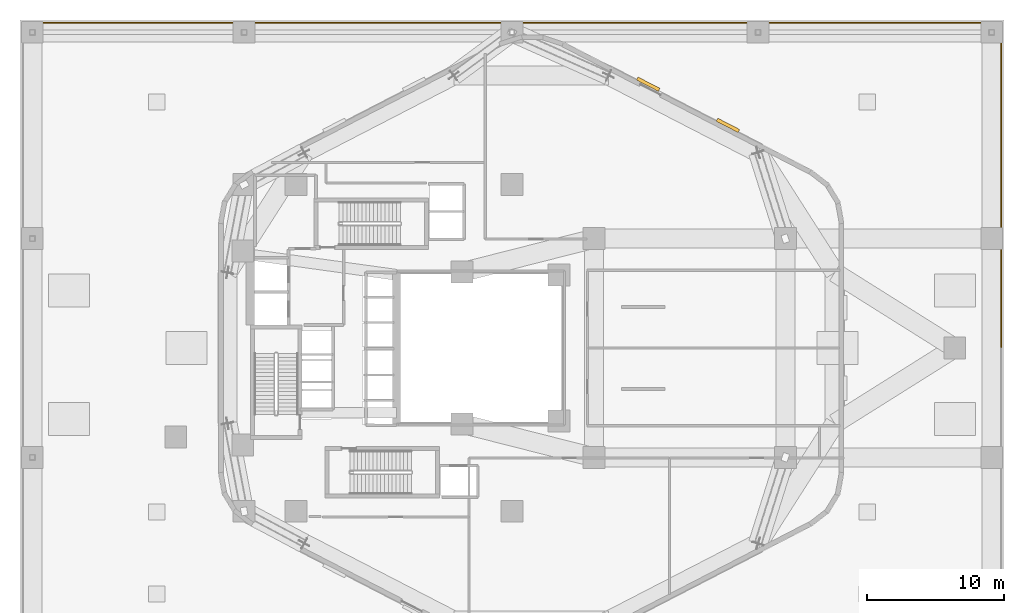
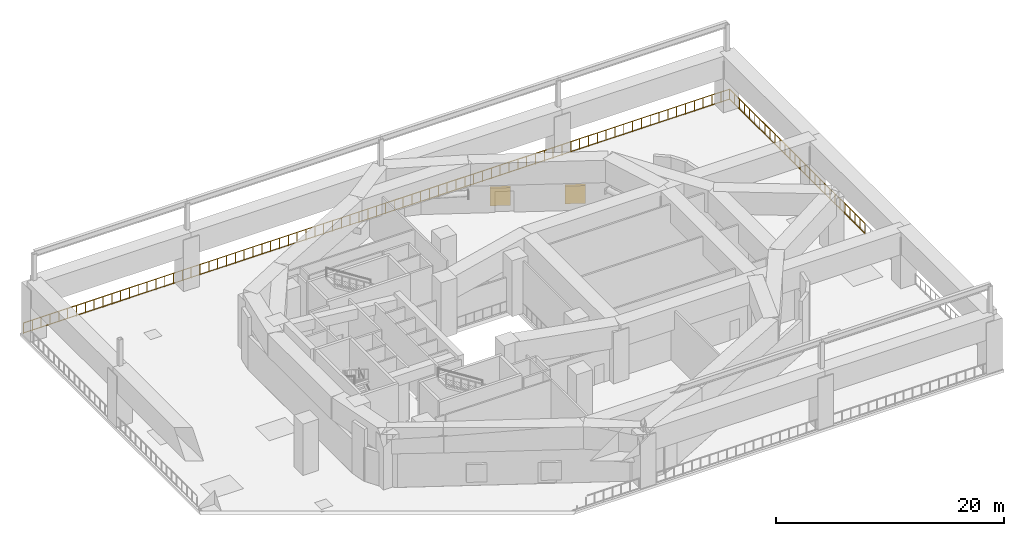
# One storey, part 15 of 15: 2 shading devices, 1 railing.
"""IFC4 building model written with IfcOpenShell, lengths in metres."""

from ifc_helpers import new_model, si_unit, direction, frame, origin, origin_2d, place, context, subcontext, project, spatial, rectangle, circle, extrude, material, type_object, element, save


model = new_model("IFC4")

# Units and contexts
model_context = context("Model", 3, precision=1e-05, world=origin(), true_north=direction((0.0, 1.0)))
body_context = subcontext(model_context, "Body", "Model", "MODEL_VIEW")
ifc_project = project(units=[si_unit("LENGTHUNIT", "METRE"), si_unit("AREAUNIT", "SQUARE_METRE"), si_unit("VOLUMEUNIT", "CUBIC_METRE"), si_unit("PLANEANGLEUNIT", "RADIAN"), si_unit("MASSUNIT", "GRAM", prefix="KILO"), si_unit("THERMODYNAMICTEMPERATUREUNIT", "KELVIN"), si_unit("POWERUNIT", "WATT")], contexts=[model_context])

# Site, building, storey
site_placement = place(None, origin())
site = spatial("IfcSite", under=ifc_project, at=site_placement, CompositionType="ELEMENT")
building_placement = place(site_placement, origin())
building = spatial("IfcBuilding", under=site, at=building_placement, Name="Skarre Station Tower", CompositionType="ELEMENT")
storey_placement = place(building_placement, frame((0.0, 0.0, 21.0)))
storey = spatial("IfcBuildingStorey", under=building, at=storey_placement, Name="L05", CompositionType="ELEMENT", Elevation=21.0)

# Railing
ifc_material_1 = material(Name="Stainless Steel Grade 316L & Laminated Safety Glass", Category="steel")
railing_type = type_object("IfcRailingType", Name="Laminated Glass & Stainless Terrace Guardrail 1150", PredefinedType="BALUSTRADE", material=ifc_material_1)
railing_placement = place(storey_placement, frame((71.800048828125, 24.050048828125, 0.0)))
element("IfcRailing", 1, at=railing_placement, inside=storey, type_object=railing_type, Name="L05 Podium Roof Garden North-East Guardrail", PredefinedType="BALUSTRADE", context=body_context, shape_type="SweptSolid", body=[
    extrude(circle(Radius=0.02392578125, at=origin_2d()), frame((0.0, 0.0, 1.1259765625), z_axis=(0.0, 1.0, 0.0), x_axis=(-1.0, 0.0, 0.0)), (0.0, 0.0, 1.0), 23.75),
    extrude(circle(Radius=0.02099609375, at=origin_2d()), frame((0.0, 0.0, 0.06005859375), z_axis=(0.0, 1.0, 0.0), x_axis=(-1.0, 0.0, 0.0)), (0.0, 0.0, 1.0), 23.75),
    extrude(circle(Radius=0.02392578125, at=origin_2d()), frame((0.0, 23.75, 1.1259765625), z_axis=(-1.0, 0.0, 0.0), x_axis=(0.0, -1.0, 0.0)), (0.0, 0.0, 1.0), 71.56005859375),
    extrude(circle(Radius=0.02099609375, at=origin_2d()), frame((0.0, 23.75, 0.06005859375), z_axis=(-1.0, 0.0, 0.0), x_axis=(0.0, -1.0, 0.0)), (0.0, 0.0, 1.0), 71.56005859375),
    extrude(circle(Radius=0.02099609375, at=origin_2d()), origin(), (0.0, 0.0, 1.0), 1.101806640625),
    extrude(circle(Radius=0.02099609375, at=origin_2d()), frame((0.0, 0.879638671875, 0.0)), (0.0, 0.0, 1.0), 1.101806640625),
    extrude(circle(Radius=0.02099609375, at=origin_2d()), frame((0.0, 1.75927734375, 0.0)), (0.0, 0.0, 1.0), 1.101806640625),
    extrude(circle(Radius=0.02099609375, at=origin_2d()), frame((0.0, 2.638916015625, 0.0)), (0.0, 0.0, 1.0), 1.101806640625),
    extrude(circle(Radius=0.02099609375, at=origin_2d()), frame((0.0, 3.5185546875, 0.0)), (0.0, 0.0, 1.0), 1.101806640625),
    extrude(circle(Radius=0.02099609375, at=origin_2d()), frame((0.0, 4.398193359375, 0.0)), (0.0, 0.0, 1.0), 1.101806640625),
    extrude(circle(Radius=0.02099609375, at=origin_2d()), frame((0.0, 5.27783203125, 0.0)), (0.0, 0.0, 1.0), 1.101806640625),
    extrude(circle(Radius=0.02099609375, at=origin_2d()), frame((0.0, 6.157470703125, 0.0)), (0.0, 0.0, 1.0), 1.101806640625),
    extrude(circle(Radius=0.02099609375, at=origin_2d()), frame((0.0, 7.037109375, 0.0)), (0.0, 0.0, 1.0), 1.101806640625),
    extrude(circle(Radius=0.02099609375, at=origin_2d()), frame((0.0, 7.916748046875, 0.0)), (0.0, 0.0, 1.0), 1.101806640625),
    extrude(circle(Radius=0.02099609375, at=origin_2d()), frame((0.0, 8.79638671875, 0.0)), (0.0, 0.0, 1.0), 1.101806640625),
    extrude(circle(Radius=0.02099609375, at=origin_2d()), frame((0.0, 9.676025390625, 0.0)), (0.0, 0.0, 1.0), 1.101806640625),
    extrude(circle(Radius=0.02099609375, at=origin_2d()), frame((0.0, 10.5556640625, 0.0)), (0.0, 0.0, 1.0), 1.101806640625),
    extrude(circle(Radius=0.02099609375, at=origin_2d()), frame((0.0, 11.435302734375, 0.0)), (0.0, 0.0, 1.0), 1.101806640625),
    extrude(circle(Radius=0.02099609375, at=origin_2d()), frame((0.0, 12.314697265625, 0.0)), (0.0, 0.0, 1.0), 1.101806640625),
    extrude(circle(Radius=0.02099609375, at=origin_2d()), frame((0.0, 13.1943359375, 0.0)), (0.0, 0.0, 1.0), 1.101806640625),
    extrude(circle(Radius=0.02099609375, at=origin_2d()), frame((0.0, 14.073974609375, 0.0)), (0.0, 0.0, 1.0), 1.101806640625),
    extrude(circle(Radius=0.02099609375, at=origin_2d()), frame((0.0, 14.95361328125, 0.0)), (0.0, 0.0, 1.0), 1.101806640625),
    extrude(circle(Radius=0.02099609375, at=origin_2d()), frame((0.0, 15.833251953125, 0.0)), (0.0, 0.0, 1.0), 1.101806640625),
    extrude(circle(Radius=0.02099609375, at=origin_2d()), frame((0.0, 16.712890625, 0.0)), (0.0, 0.0, 1.0), 1.101806640625),
    extrude(circle(Radius=0.02099609375, at=origin_2d()), frame((0.0, 17.592529296875, 0.0)), (0.0, 0.0, 1.0), 1.101806640625),
    extrude(circle(Radius=0.02099609375, at=origin_2d()), frame((0.0, 18.47216796875, 0.0)), (0.0, 0.0, 1.0), 1.101806640625),
    extrude(circle(Radius=0.02099609375, at=origin_2d()), frame((0.0, 19.351806640625, 0.0)), (0.0, 0.0, 1.0), 1.101806640625),
    extrude(circle(Radius=0.02099609375, at=origin_2d()), frame((0.0, 20.2314453125, 0.0)), (0.0, 0.0, 1.0), 1.101806640625),
    extrude(circle(Radius=0.02099609375, at=origin_2d()), frame((0.0, 21.111083984375, 0.0)), (0.0, 0.0, 1.0), 1.101806640625),
    extrude(circle(Radius=0.02099609375, at=origin_2d()), frame((0.0, 21.99072265625, 0.0)), (0.0, 0.0, 1.0), 1.101806640625),
    extrude(circle(Radius=0.02099609375, at=origin_2d()), frame((0.0, 22.870361328125, 0.0)), (0.0, 0.0, 1.0), 1.101806640625),
    extrude(circle(Radius=0.02099609375, at=origin_2d()), frame((0.0, 23.75, 0.0)), (0.0, 0.0, 1.0), 1.101806640625),
    extrude(circle(Radius=0.02099609375, at=origin_2d()), frame((-0.89453125, 23.75, 0.0)), (0.0, 0.0, 1.0), 1.101806640625),
    extrude(circle(Radius=0.02099609375, at=origin_2d()), frame((-1.7890625, 23.75, 0.0)), (0.0, 0.0, 1.0), 1.101806640625),
    extrude(circle(Radius=0.02099609375, at=origin_2d()), frame((-2.68359375, 23.75, 0.0)), (0.0, 0.0, 1.0), 1.101806640625),
    extrude(circle(Radius=0.02099609375, at=origin_2d()), frame((-3.578125, 23.75, 0.0)), (0.0, 0.0, 1.0), 1.101806640625),
    extrude(circle(Radius=0.02099609375, at=origin_2d()), frame((-4.472412109375, 23.75, 0.0)), (0.0, 0.0, 1.0), 1.101806640625),
    extrude(circle(Radius=0.02099609375, at=origin_2d()), frame((-5.366943359375, 23.75, 0.0)), (0.0, 0.0, 1.0), 1.101806640625),
    extrude(circle(Radius=0.02099609375, at=origin_2d()), frame((-6.261474609375, 23.75, 0.0)), (0.0, 0.0, 1.0), 1.101806640625),
    extrude(circle(Radius=0.02099609375, at=origin_2d()), frame((-7.156005859375, 23.75, 0.0)), (0.0, 0.0, 1.0), 1.101806640625),
    extrude(circle(Radius=0.02099609375, at=origin_2d()), frame((-8.050537109375, 23.75, 0.0)), (0.0, 0.0, 1.0), 1.101806640625),
    extrude(circle(Radius=0.02099609375, at=origin_2d()), frame((-8.945068359375, 23.75, 0.0)), (0.0, 0.0, 1.0), 1.101806640625),
    extrude(circle(Radius=0.02099609375, at=origin_2d()), frame((-9.839599609375, 23.75, 0.0)), (0.0, 0.0, 1.0), 1.101806640625),
    extrude(circle(Radius=0.02099609375, at=origin_2d()), frame((-10.73388671875, 23.75, 0.0)), (0.0, 0.0, 1.0), 1.101806640625),
    extrude(circle(Radius=0.02099609375, at=origin_2d()), frame((-11.62841796875, 23.75, 0.0)), (0.0, 0.0, 1.0), 1.101806640625),
    extrude(circle(Radius=0.02099609375, at=origin_2d()), frame((-12.52294921875, 23.75, 0.0)), (0.0, 0.0, 1.0), 1.101806640625),
    extrude(circle(Radius=0.02099609375, at=origin_2d()), frame((-13.41748046875, 23.75, 0.0)), (0.0, 0.0, 1.0), 1.101806640625),
    extrude(circle(Radius=0.02099609375, at=origin_2d()), frame((-14.31201171875, 23.75, 0.0)), (0.0, 0.0, 1.0), 1.101806640625),
    extrude(circle(Radius=0.02099609375, at=origin_2d()), frame((-15.20654296875, 23.75, 0.0)), (0.0, 0.0, 1.0), 1.101806640625),
    extrude(circle(Radius=0.02099609375, at=origin_2d()), frame((-16.10107421875, 23.75, 0.0)), (0.0, 0.0, 1.0), 1.101806640625),
    extrude(circle(Radius=0.02099609375, at=origin_2d()), frame((-16.99560546875, 23.75, 0.0)), (0.0, 0.0, 1.0), 1.101806640625),
    extrude(circle(Radius=0.02099609375, at=origin_2d()), frame((-17.89013671875, 23.75, 0.0)), (0.0, 0.0, 1.0), 1.101806640625),
    extrude(circle(Radius=0.02099609375, at=origin_2d()), frame((-18.784423828125, 23.75, 0.0)), (0.0, 0.0, 1.0), 1.101806640625),
    extrude(circle(Radius=0.02099609375, at=origin_2d()), frame((-19.678955078125, 23.75, 0.0)), (0.0, 0.0, 1.0), 1.101806640625),
    extrude(circle(Radius=0.02099609375, at=origin_2d()), frame((-20.573486328125, 23.75, 0.0)), (0.0, 0.0, 1.0), 1.101806640625),
    extrude(circle(Radius=0.02099609375, at=origin_2d()), frame((-21.468017578125, 23.75, 0.0)), (0.0, 0.0, 1.0), 1.101806640625),
    extrude(circle(Radius=0.02099609375, at=origin_2d()), frame((-22.362548828125, 23.75, 0.0)), (0.0, 0.0, 1.0), 1.101806640625),
    extrude(circle(Radius=0.02099609375, at=origin_2d()), frame((-23.257080078125, 23.75, 0.0)), (0.0, 0.0, 1.0), 1.101806640625),
    extrude(circle(Radius=0.02099609375, at=origin_2d()), frame((-24.151611328125, 23.75, 0.0)), (0.0, 0.0, 1.0), 1.101806640625),
    extrude(circle(Radius=0.02099609375, at=origin_2d()), frame((-25.0458984375, 23.75, 0.0)), (0.0, 0.0, 1.0), 1.101806640625),
    extrude(circle(Radius=0.02099609375, at=origin_2d()), frame((-25.9404296875, 23.75, 0.0)), (0.0, 0.0, 1.0), 1.101806640625),
    extrude(circle(Radius=0.02099609375, at=origin_2d()), frame((-26.8349609375, 23.75, 0.0)), (0.0, 0.0, 1.0), 1.101806640625),
    extrude(circle(Radius=0.02099609375, at=origin_2d()), frame((-27.7294921875, 23.75, 0.0)), (0.0, 0.0, 1.0), 1.101806640625),
    extrude(circle(Radius=0.02099609375, at=origin_2d()), frame((-28.6240234375, 23.75, 0.0)), (0.0, 0.0, 1.0), 1.101806640625),
    extrude(circle(Radius=0.02099609375, at=origin_2d()), frame((-29.5185546875, 23.75, 0.0)), (0.0, 0.0, 1.0), 1.101806640625),
    extrude(circle(Radius=0.02099609375, at=origin_2d()), frame((-30.4130859375, 23.75, 0.0)), (0.0, 0.0, 1.0), 1.101806640625),
    extrude(circle(Radius=0.02099609375, at=origin_2d()), frame((-31.3076171875, 23.75, 0.0)), (0.0, 0.0, 1.0), 1.101806640625),
    extrude(circle(Radius=0.02099609375, at=origin_2d()), frame((-32.2021484375, 23.75, 0.0)), (0.0, 0.0, 1.0), 1.101806640625),
    extrude(circle(Radius=0.02099609375, at=origin_2d()), frame((-33.096435546875, 23.75, 0.0)), (0.0, 0.0, 1.0), 1.101806640625),
    extrude(circle(Radius=0.02099609375, at=origin_2d()), frame((-33.990966796875, 23.75, 0.0)), (0.0, 0.0, 1.0), 1.101806640625),
    extrude(circle(Radius=0.02099609375, at=origin_2d()), frame((-34.885498046875, 23.75, 0.0)), (0.0, 0.0, 1.0), 1.101806640625),
    extrude(circle(Radius=0.02099609375, at=origin_2d()), frame((-35.780029296875, 23.75, 0.0)), (0.0, 0.0, 1.0), 1.101806640625),
    extrude(circle(Radius=0.02099609375, at=origin_2d()), frame((-36.674560546875, 23.75, 0.0)), (0.0, 0.0, 1.0), 1.101806640625),
    extrude(circle(Radius=0.02099609375, at=origin_2d()), frame((-37.569091796875, 23.75, 0.0)), (0.0, 0.0, 1.0), 1.101806640625),
    extrude(circle(Radius=0.02099609375, at=origin_2d()), frame((-38.463623046875, 23.75, 0.0)), (0.0, 0.0, 1.0), 1.101806640625),
    extrude(circle(Radius=0.02099609375, at=origin_2d()), frame((-39.35791015625, 23.75, 0.0)), (0.0, 0.0, 1.0), 1.101806640625),
    extrude(circle(Radius=0.02099609375, at=origin_2d()), frame((-40.25244140625, 23.75, 0.0)), (0.0, 0.0, 1.0), 1.101806640625),
    extrude(circle(Radius=0.02099609375, at=origin_2d()), frame((-41.14697265625, 23.75, 0.0)), (0.0, 0.0, 1.0), 1.101806640625),
    extrude(circle(Radius=0.02099609375, at=origin_2d()), frame((-42.04150390625, 23.75, 0.0)), (0.0, 0.0, 1.0), 1.101806640625),
    extrude(circle(Radius=0.02099609375, at=origin_2d()), frame((-42.93603515625, 23.75, 0.0)), (0.0, 0.0, 1.0), 1.101806640625),
    extrude(circle(Radius=0.02099609375, at=origin_2d()), frame((-43.83056640625, 23.75, 0.0)), (0.0, 0.0, 1.0), 1.101806640625),
    extrude(circle(Radius=0.02099609375, at=origin_2d()), frame((-44.72509765625, 23.75, 0.0)), (0.0, 0.0, 1.0), 1.101806640625),
    extrude(circle(Radius=0.02099609375, at=origin_2d()), frame((-45.61962890625, 23.75, 0.0)), (0.0, 0.0, 1.0), 1.101806640625),
    extrude(circle(Radius=0.02099609375, at=origin_2d()), frame((-46.51416015625, 23.75, 0.0)), (0.0, 0.0, 1.0), 1.101806640625),
    extrude(circle(Radius=0.02099609375, at=origin_2d()), frame((-47.408447265625, 23.75, 0.0)), (0.0, 0.0, 1.0), 1.101806640625),
    extrude(circle(Radius=0.02099609375, at=origin_2d()), frame((-48.302978515625, 23.75, 0.0)), (0.0, 0.0, 1.0), 1.101806640625),
    extrude(circle(Radius=0.02099609375, at=origin_2d()), frame((-49.197509765625, 23.75, 0.0)), (0.0, 0.0, 1.0), 1.101806640625),
    extrude(circle(Radius=0.02099609375, at=origin_2d()), frame((-50.092041015625, 23.75, 0.0)), (0.0, 0.0, 1.0), 1.101806640625),
    extrude(circle(Radius=0.02099609375, at=origin_2d()), frame((-50.986572265625, 23.75, 0.0)), (0.0, 0.0, 1.0), 1.101806640625),
    extrude(circle(Radius=0.02099609375, at=origin_2d()), frame((-51.881103515625, 23.75, 0.0)), (0.0, 0.0, 1.0), 1.101806640625),
    extrude(circle(Radius=0.02099609375, at=origin_2d()), frame((-52.775634765625, 23.75, 0.0)), (0.0, 0.0, 1.0), 1.101806640625),
    extrude(circle(Radius=0.02099609375, at=origin_2d()), frame((-53.669921875, 23.75, 0.0)), (0.0, 0.0, 1.0), 1.101806640625),
    extrude(circle(Radius=0.02099609375, at=origin_2d()), frame((-54.564453125, 23.75, 0.0)), (0.0, 0.0, 1.0), 1.101806640625),
    extrude(circle(Radius=0.02099609375, at=origin_2d()), frame((-55.458984375, 23.75, 0.0)), (0.0, 0.0, 1.0), 1.101806640625),
    extrude(circle(Radius=0.02099609375, at=origin_2d()), frame((-56.353515625, 23.75, 0.0)), (0.0, 0.0, 1.0), 1.101806640625),
    extrude(circle(Radius=0.02099609375, at=origin_2d()), frame((-57.248046875, 23.75, 0.0)), (0.0, 0.0, 1.0), 1.101806640625),
    extrude(circle(Radius=0.02099609375, at=origin_2d()), frame((-58.142578125, 23.75, 0.0)), (0.0, 0.0, 1.0), 1.101806640625),
    extrude(circle(Radius=0.02099609375, at=origin_2d()), frame((-59.037109375, 23.75, 0.0)), (0.0, 0.0, 1.0), 1.101806640625),
    extrude(circle(Radius=0.02099609375, at=origin_2d()), frame((-59.931640625, 23.75, 0.0)), (0.0, 0.0, 1.0), 1.101806640625),
    extrude(circle(Radius=0.02099609375, at=origin_2d()), frame((-60.826171875, 23.75, 0.0)), (0.0, 0.0, 1.0), 1.101806640625),
    extrude(circle(Radius=0.02099609375, at=origin_2d()), frame((-61.720458984375, 23.75, 0.0)), (0.0, 0.0, 1.0), 1.101806640625),
    extrude(circle(Radius=0.02099609375, at=origin_2d()), frame((-62.614990234375, 23.75, 0.0)), (0.0, 0.0, 1.0), 1.101806640625),
    extrude(circle(Radius=0.02099609375, at=origin_2d()), frame((-63.509521484375, 23.75, 0.0)), (0.0, 0.0, 1.0), 1.101806640625),
    extrude(circle(Radius=0.02099609375, at=origin_2d()), frame((-64.404052734375, 23.75, 0.0)), (0.0, 0.0, 1.0), 1.101806640625),
    extrude(circle(Radius=0.02099609375, at=origin_2d()), frame((-65.298583984375, 23.75, 0.0)), (0.0, 0.0, 1.0), 1.101806640625),
    extrude(circle(Radius=0.02099609375, at=origin_2d()), frame((-66.193115234375, 23.75, 0.0)), (0.0, 0.0, 1.0), 1.101806640625),
    extrude(circle(Radius=0.02099609375, at=origin_2d()), frame((-67.087646484375, 23.75, 0.0)), (0.0, 0.0, 1.0), 1.101806640625),
    extrude(circle(Radius=0.02099609375, at=origin_2d()), frame((-67.98193359375, 23.75, 0.0)), (0.0, 0.0, 1.0), 1.101806640625),
    extrude(circle(Radius=0.02099609375, at=origin_2d()), frame((-68.87646484375, 23.75, 0.0)), (0.0, 0.0, 1.0), 1.101806640625),
    extrude(circle(Radius=0.02099609375, at=origin_2d()), frame((-69.77099609375, 23.75, 0.0)), (0.0, 0.0, 1.0), 1.101806640625),
    extrude(circle(Radius=0.02099609375, at=origin_2d()), frame((-70.66552734375, 23.75, 0.0)), (0.0, 0.0, 1.0), 1.101806640625),
    extrude(circle(Radius=0.02099609375, at=origin_2d()), frame((-71.56005859375, 23.75, 0.0)), (0.0, 0.0, 1.0), 1.101806640625),
])

# Shading devices
ifc_material_2 = material(Name="Powder-Coated Aluminium Acoustic Louvre", Category="aluminium")
shading_device_type = type_object("IfcShadingDeviceType", Name="Plant Intake Acoustic Weather Louvre 1800x2200", PredefinedType="JALOUSIE", material=ifc_material_2)
for number, where, z_axis, x_axis, name in (
    (2, (45.962890625, 43.303955078125, 0.5), (0.0, 0.0, 1.0), (0.458618535612, 0.888633242003, 0.0), "L05 Facet 0 Mechanical Intake Louvre 1"),
    (3, (51.801025390625, 40.291015625, 0.5), (0.0, 0.0, 1.0), (0.458618535612, 0.888633242003, 0.0), "L05 Facet 0 Mechanical Intake Louvre 2"),
):
    element("IfcShadingDevice", number, at=place(storey_placement, frame(where, z_axis=z_axis, x_axis=x_axis)), inside=storey, type_object=shading_device_type, Name=name, PredefinedType="JALOUSIE", context=body_context, shape_type="SweptSolid", body=[
        extrude(rectangle(XDim=0.25, YDim=1.800048828125, at=origin_2d()), origin(), (0.0, 0.0, 1.0), 1.89990234375),
    ])

save(model, "model.ifc")
